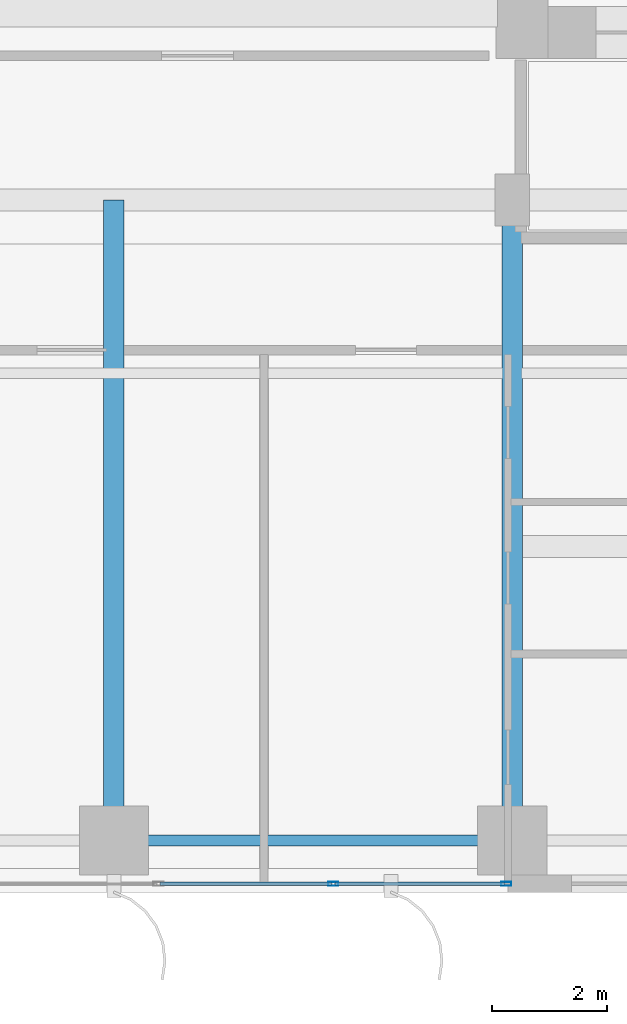
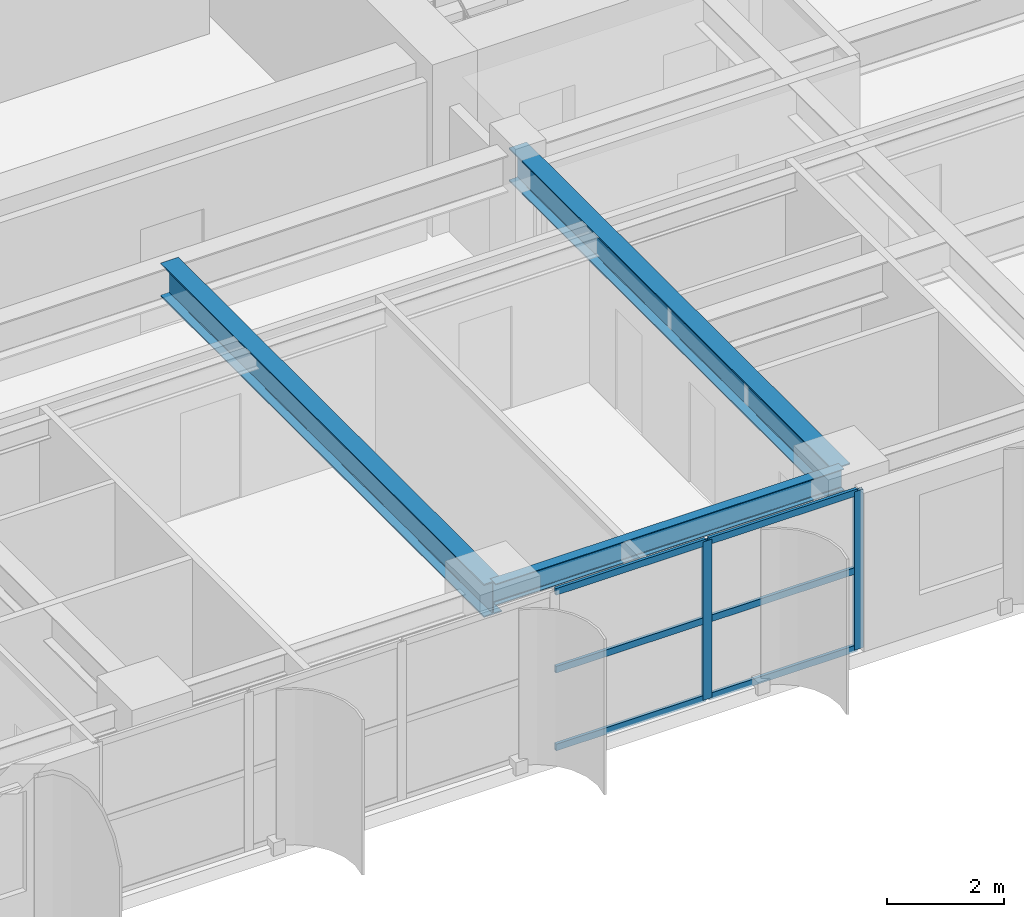
# One storey, part 3 of 23: 8 members, 3 beams, 1 element without a shape of its own.
"""IFC4 building model written with IfcOpenShell, lengths in metres."""

from ifc_helpers import new_model, si_unit, direction, frame, origin, origin_2d, place, context, subcontext, project, spatial, hollow_rectangle, i_section, extrude, source, transform, mapped, material, layer, layer_set, material_profile, profile_set, type_object, element, aggregate, save


model = new_model("IFC4")

# Units and contexts
model_context = context("Model", 3, precision=1e-05, world=origin(), true_north=direction((0.0, 1.0)))
body_context = subcontext(model_context, "Body", "Model", "MODEL_VIEW")
ifc_project = project(units=[si_unit("LENGTHUNIT", "METRE"), si_unit("AREAUNIT", "SQUARE_METRE"), si_unit("VOLUMEUNIT", "CUBIC_METRE"), si_unit("PLANEANGLEUNIT", "RADIAN"), si_unit("MASSUNIT", "GRAM", prefix="KILO")], contexts=[model_context])

# Site, building, storey
site_placement = place(None, origin())
site = spatial("IfcSite", under=ifc_project, at=site_placement, CompositionType="ELEMENT")
building_placement = place(site_placement, origin())
building = spatial("IfcBuilding", under=site, at=building_placement, Name="Khoralis Quay Care Tower", CompositionType="ELEMENT")
storey_placement = place(building_placement, frame((0.0, 0.0, 33.300048828125)))
storey = spatial("IfcBuildingStorey", under=building, at=storey_placement, Name="L08", CompositionType="ELEMENT", Elevation=33.300048828125)

# Beams
ifc_material_1 = material(Name="Steel S355", Category="steel")
ifc_material_profile_1 = material_profile(ifc_material_1, i_section(OverallWidth=0.18994140625, OverallDepth=0.449951171875, WebThickness=0.009521484375, FlangeThickness=0.0146484375, FilletRadius=0.02099609375, at=origin_2d()), Name="Steel S355")
ifc_profile_set_1 = profile_set([ifc_material_profile_1], Name="Steel S355")
beam_type_1 = type_object("IfcBeamType", Name="BM-IPE450", PredefinedType="SPANDREL", material=ifc_profile_set_1)
shared_shape_1 = source(origin(), body_context, "Body", "SweptSolid", [
    extrude(i_section(OverallWidth=0.18994140625, OverallDepth=0.449951171875, WebThickness=0.009521484375, FlangeThickness=0.0146484375, FilletRadius=0.02099609375, at=origin_2d()), origin(), (0.0, 0.0, 1.0), 6.89990234375),
])
beam_placement = place(storey_placement, frame((24.0, 0.89990234375, 3.094970703125), z_axis=(1.0, 0.0, 0.0), x_axis=(0.0, 1.0, 0.0)))
element("IfcBeam", 1, at=beam_placement, inside=storey, type_object=beam_type_1, Name="BM-TSP-L08-04", PredefinedType="SPANDREL", context=body_context, shape_type="MappedRepresentation", body=[
    mapped(shared_shape_1, transform((0.0, 0.0, 0.0), scale=1.0)),
])
ifc_material_profile_2 = material_profile(ifc_material_1, i_section(OverallWidth=0.35498046875, OverallDepth=0.695068359375, WebThickness=0.015380859375, FlangeThickness=0.02490234375, FilletRadius=0.02001953125, at=origin_2d()), Name="Steel S355")
ifc_profile_set_2 = profile_set([ifc_material_profile_2], Name="Steel S355")
beam_type_2 = type_object("IfcBeamType", Name="BM-W690X217", PredefinedType="BEAM", material=ifc_profile_set_2)
shared_shape_2 = source(origin(), body_context, "Body", "SweptSolid", [
    extrude(i_section(OverallWidth=0.35498046875, OverallDepth=0.695068359375, WebThickness=0.015380859375, FlangeThickness=0.02490234375, FilletRadius=0.02001953125, at=origin_2d()), origin(), (0.0, 0.0, 1.0), 11.10009765625),
])
for number, where, z_axis, x_axis, name in (
    (2, (24.0, 0.89990234375, 2.972412109375), (0.0, 1.0, 0.0), (-1.0, 0.0, 0.0), "BM-TGYS-L08-240"),
    (3, (30.89990234375, 0.89990234375, 2.972412109375), (0.0, 1.0, 0.0), (-1.0, 0.0, 0.0), "BM-TGYS-L08-309"),
):
    element("IfcBeam", number, at=place(storey_placement, frame(where, z_axis=z_axis, x_axis=x_axis)), inside=storey, type_object=beam_type_2, Name=name, PredefinedType="BEAM", context=body_context, shape_type="MappedRepresentation", body=[
        mapped(shared_shape_2, transform((0.0, 0.0, 0.0), scale=1.0)),
    ])

# Curtain wall, members
ifc_material_2 = material(Name="Pale anodised aluminium", Category="aluminium")
ifc_layer = layer(ifc_material_2, 0.179931640625)
ifc_layer_set = layer_set([ifc_layer], Name="Pale anodised aluminium")
curtain_wall_type = type_object("IfcCurtainWallType", Name="CW-SYS-Z1", PredefinedType="NOTDEFINED", material=ifc_layer_set)
curtain_wall_placement = place(storey_placement, origin())
curtain_wall = element("IfcCurtainWall", 4, at=curtain_wall_placement, inside=storey, type_object=curtain_wall_type, Name="L08 Unitised Curtain Wall CW-L08-P1-E0", PredefinedType="NOTDEFINED")
ifc_material_profile_3 = material_profile(ifc_material_2, hollow_rectangle(XDim=0.06494140625, YDim=0.179931640625, WallThickness=0.00390625, at=origin_2d()), Name="Pale anodised aluminium")
ifc_profile_set_3 = profile_set([ifc_material_profile_3], Name="Pale anodised aluminium")
member_type_1 = type_object("IfcMemberType", Name="CW-MUL-180", PredefinedType="MULLION", material=ifc_profile_set_3)
shared_shape_3 = source(origin(), body_context, "Body", "SweptSolid", [
    extrude(hollow_rectangle(XDim=0.06494140625, YDim=0.179931640625, WallThickness=0.00390625, at=origin_2d()), origin(), (0.0, 0.0, 1.0), 3.320068359375),
])
member_1_placement = place(storey_placement, frame((27.7998046875, 0.14990234375, 0.0), z_axis=(0.0, 0.0, 1.0), x_axis=(0.0, 1.0, 0.0)))
member_1 = element("IfcMember", 5, at=member_1_placement, type_object=member_type_1, Name="CW1 mullion 5", PredefinedType="MULLION", context=body_context, shape_type="MappedRepresentation", body=[
    mapped(shared_shape_3, transform((0.0, 0.0, 0.0), scale=1.0)),
])
member_2_placement = place(storey_placement, frame((30.798095703125, 0.14990234375, 0.0), z_axis=(0.0, 0.0, 1.0), x_axis=(0.0, 1.0, 0.0)))
member_2 = element("IfcMember", 6, at=member_2_placement, type_object=member_type_1, Name="CW1 mullion 6", PredefinedType="MULLION", context=body_context, shape_type="MappedRepresentation", body=[
    mapped(shared_shape_3, transform((0.0, 0.0, 0.0), scale=1.0)),
])
ifc_material_profile_4 = material_profile(ifc_material_2, hollow_rectangle(XDim=0.06005859375, YDim=0.139892578125, WallThickness=0.00390625, at=origin_2d()), Name="Pale anodised aluminium")
ifc_profile_set_4 = profile_set([ifc_material_profile_4], Name="Pale anodised aluminium")
member_type_2 = type_object("IfcMemberType", Name="CW-TRN-140", PredefinedType="USERDEFINED", material=ifc_profile_set_4)
shared_shape_4 = source(origin(), body_context, "Body", "SweptSolid", [
    extrude(hollow_rectangle(XDim=0.06005859375, YDim=0.139892578125, WallThickness=0.00390625, at=origin_2d()), origin(), (0.0, 0.0, 1.0), 2.938232421875),
])
member_3_placement = place(storey_placement, frame((27.829833984375, 0.14990234375, 0.030029296875), z_axis=(1.0, 0.0, 0.0), x_axis=(0.0, 1.0, 0.0)))
member_3 = element("IfcMember", 7, at=member_3_placement, type_object=member_type_2, Name="CW1 transom 5.1", ObjectType="TRANSOM", PredefinedType="USERDEFINED", context=body_context, shape_type="MappedRepresentation", body=[
    mapped(shared_shape_4, transform((0.0, 0.0, 0.0), scale=1.0)),
])
member_4_placement = place(storey_placement, frame((27.829833984375, 0.14990234375, 1.659912109375), z_axis=(1.0, 0.0, 0.0), x_axis=(0.0, 1.0, 0.0)))
member_4 = element("IfcMember", 8, at=member_4_placement, type_object=member_type_2, Name="CW1 transom 5.2", ObjectType="TRANSOM", PredefinedType="USERDEFINED", context=body_context, shape_type="MappedRepresentation", body=[
    mapped(shared_shape_4, transform((0.0, 0.0, 0.0), scale=1.0)),
])
member_5_placement = place(storey_placement, frame((27.829833984375, 0.14990234375, 3.2900390625), z_axis=(1.0, 0.0, 0.0), x_axis=(0.0, 1.0, 0.0)))
member_5 = element("IfcMember", 9, at=member_5_placement, type_object=member_type_2, Name="CW1 transom 5.3", ObjectType="TRANSOM", PredefinedType="USERDEFINED", context=body_context, shape_type="MappedRepresentation", body=[
    mapped(shared_shape_4, transform((0.0, 0.0, 0.0), scale=1.0)),
])
shared_shape_5 = source(origin(), body_context, "Body", "SweptSolid", [
    extrude(hollow_rectangle(XDim=0.06005859375, YDim=0.139892578125, WallThickness=0.00390625, at=origin_2d()), origin(), (0.0, 0.0, 1.0), 2.96826171875),
])
member_6_placement = place(storey_placement, frame((24.801513671875, 0.14990234375, 0.030029296875), z_axis=(1.0, 0.0, 0.0), x_axis=(0.0, 1.0, 0.0)))
member_6 = element("IfcMember", 10, at=member_6_placement, type_object=member_type_2, Name="CW1 transom 4.1", ObjectType="TRANSOM", PredefinedType="USERDEFINED", context=body_context, shape_type="MappedRepresentation", body=[
    mapped(shared_shape_5, transform((0.0, 0.0, 0.0), scale=1.0)),
])
member_7_placement = place(storey_placement, frame((24.801513671875, 0.14990234375, 1.659912109375), z_axis=(1.0, 0.0, 0.0), x_axis=(0.0, 1.0, 0.0)))
member_7 = element("IfcMember", 11, at=member_7_placement, type_object=member_type_2, Name="CW1 transom 4.2", ObjectType="TRANSOM", PredefinedType="USERDEFINED", context=body_context, shape_type="MappedRepresentation", body=[
    mapped(shared_shape_5, transform((0.0, 0.0, 0.0), scale=1.0)),
])
member_8_placement = place(storey_placement, frame((24.801513671875, 0.14990234375, 3.2900390625), z_axis=(1.0, 0.0, 0.0), x_axis=(0.0, 1.0, 0.0)))
member_8 = element("IfcMember", 12, at=member_8_placement, type_object=member_type_2, Name="CW1 transom 4.3", ObjectType="TRANSOM", PredefinedType="USERDEFINED", context=body_context, shape_type="MappedRepresentation", body=[
    mapped(shared_shape_5, transform((0.0, 0.0, 0.0), scale=1.0)),
])
aggregate(curtain_wall, [member_1, member_2, member_6, member_7, member_8, member_3, member_4, member_5])

save(model, "model.ifc")
